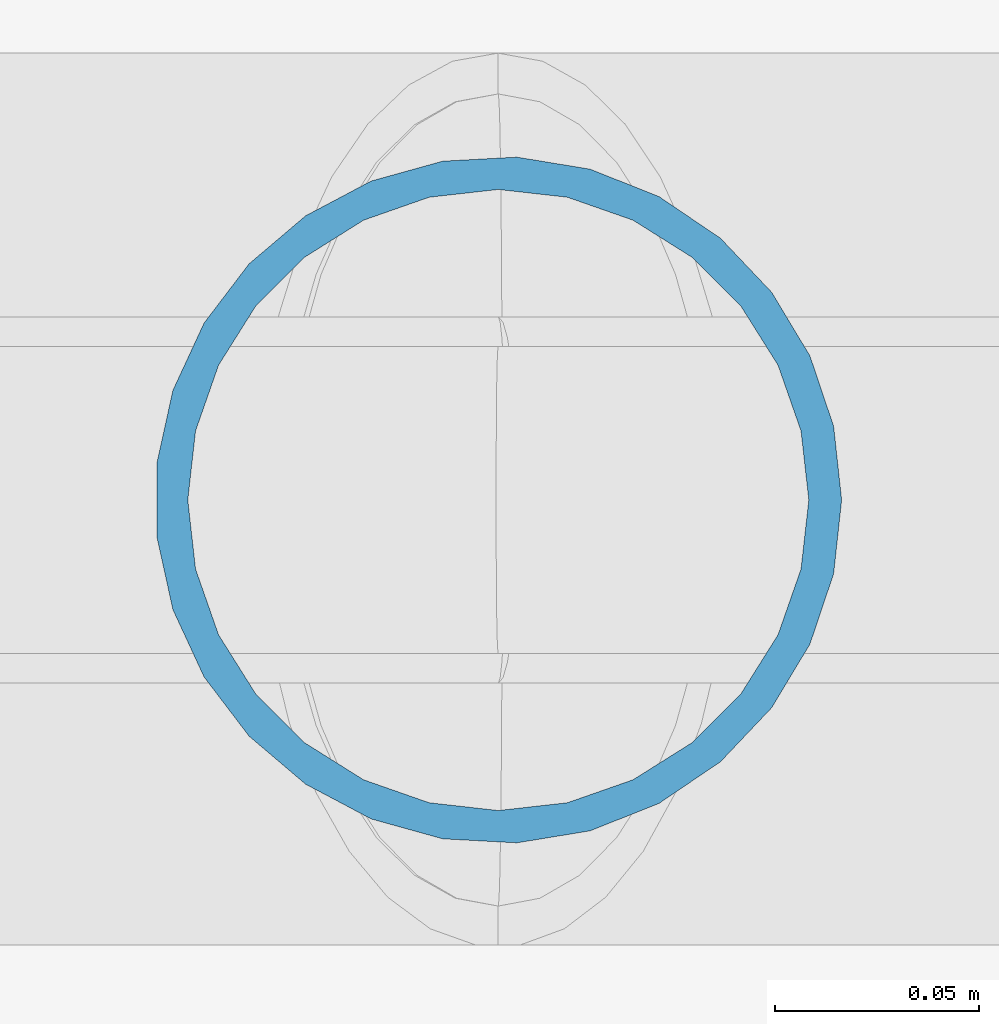
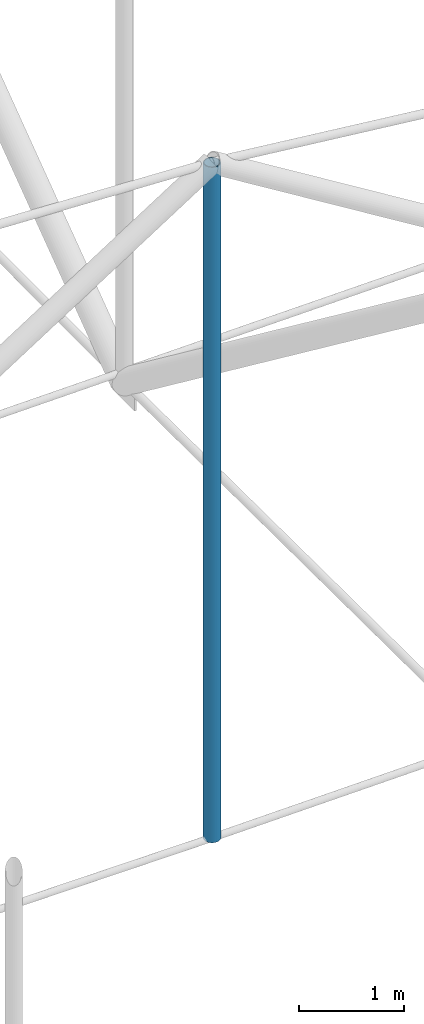
# One storey, part 59 of 173: 1 member.
"""IFC4 building model written with IfcOpenShell, lengths in metres."""

from ifc_helpers import new_model, si_unit, direction, frame, origin, origin_2d, place, context, subcontext, project, spatial, hollow_circle, extrude, material, material_profile, profile_set, type_object, element, save


model = new_model("IFC4")

# Units and contexts
model_context = context("Model", 3, precision=1e-05, world=origin(), true_north=direction((0.0, 1.0)))
body_context = subcontext(model_context, "Body", "Model", "MODEL_VIEW")
ifc_project = project(units=[si_unit("LENGTHUNIT", "METRE"), si_unit("AREAUNIT", "SQUARE_METRE"), si_unit("VOLUMEUNIT", "CUBIC_METRE"), si_unit("PLANEANGLEUNIT", "RADIAN"), si_unit("MASSUNIT", "GRAM", prefix="KILO")], contexts=[model_context])

# Site, building, storey
site_placement = place(None, origin())
site = spatial("IfcSite", under=ifc_project, at=site_placement, CompositionType="ELEMENT")
building_placement = place(site_placement, origin())
building = spatial("IfcBuilding", under=site, at=building_placement, Name="Glasvene Arena", CompositionType="ELEMENT")
storey_placement = place(building_placement, frame((0.0, 0.0, 28.800048828125)))
storey = spatial("IfcBuildingStorey", under=building, at=storey_placement, Name="RF", CompositionType="ELEMENT", Elevation=28.800048828125)

# Member
ifc_material = material(Name="Steel S355J2", Category="steel")
ifc_material_profile = material_profile(ifc_material, hollow_circle(Radius=0.084228515625, WallThickness=0.008056640625, at=origin_2d()), Name="CHS 168.3x8.0")
ifc_profile_set = profile_set([ifc_material_profile], Name="Steel S355J2")
member_type = type_object("IfcMemberType", Name="MB-WEB-CHS168", PredefinedType="BRACE", material=ifc_profile_set)
member_placement = place(storey_placement, frame((104.34619140625, 65.96044921875, -2.328125), z_axis=(0.0, 0.0, 1.0), x_axis=(1.0, 0.0, 0.0)))
element("IfcMember", 1, at=member_placement, inside=storey, type_object=member_type, Name="Cable-truss vertical strut EW03-05", PredefinedType="BRACE", context=body_context, shape_type="SweptSolid", body=[
    extrude(hollow_circle(Radius=0.084228515625, WallThickness=0.008056640625, at=origin_2d()), origin(), (0.0, 0.0, 1.0), 7.827392578125),
])

save(model, "model.ifc")
